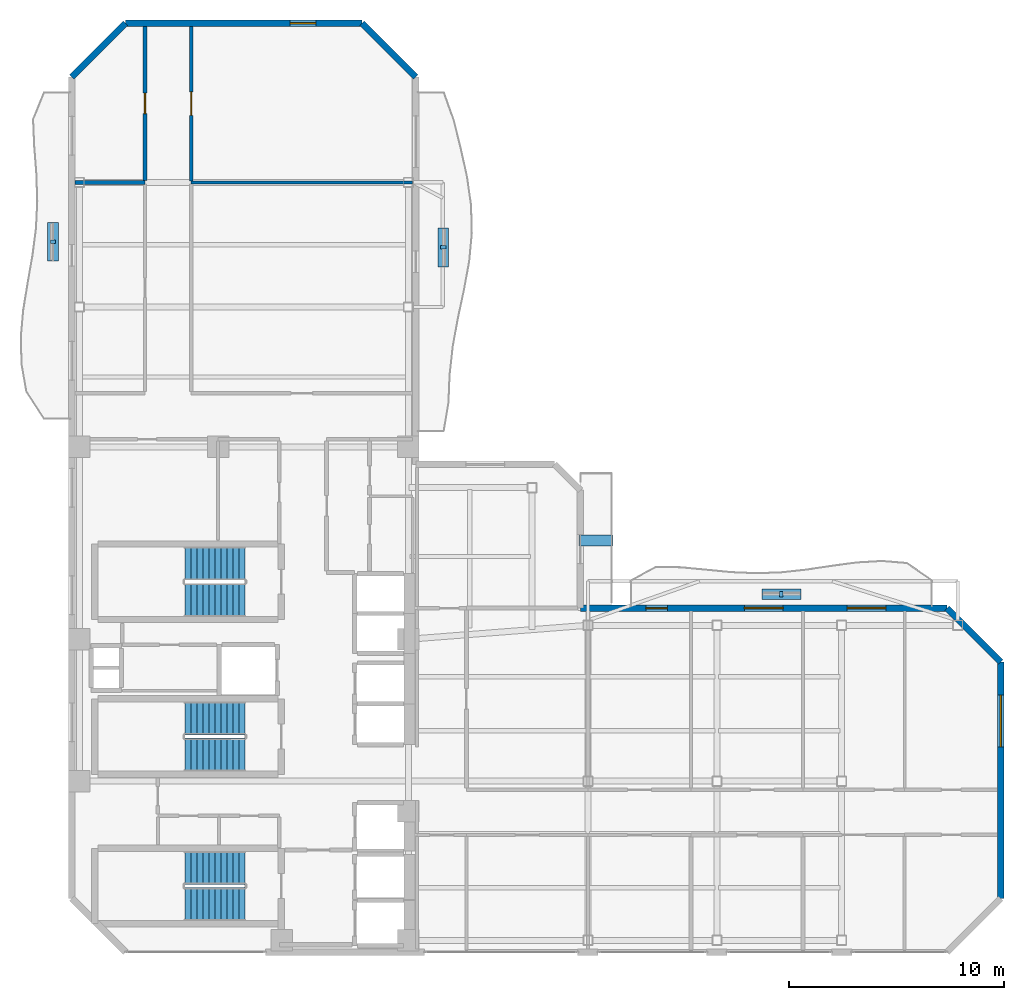
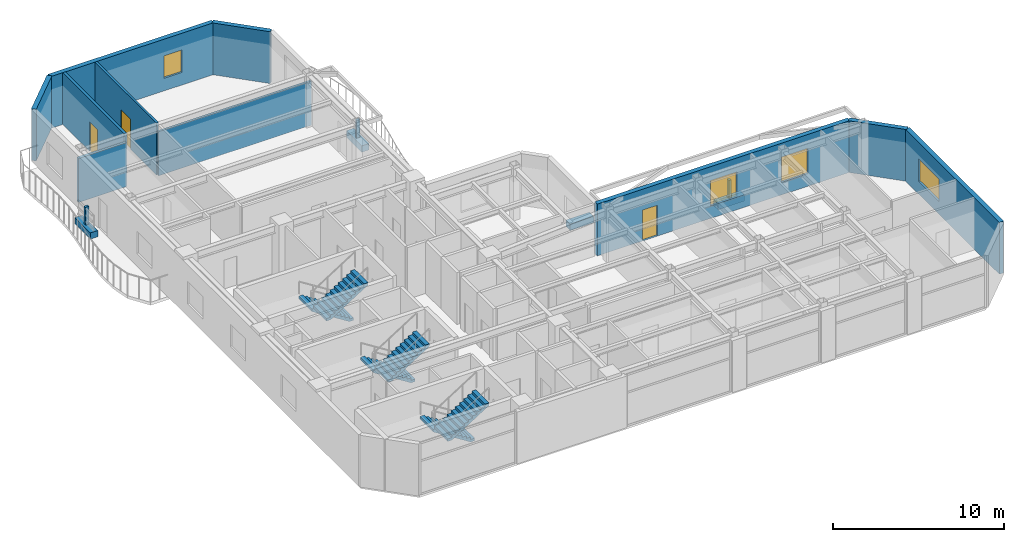
# One storey, part 12 of 15: 10 walls, 7 discrete accessories, 6 stair flights, 4 windows, 3 doors, 7 openings, 3 elements without a shape of their own.
"""IFC4 building model written with IfcOpenShell, lengths in metres."""

import ifcopenshell
import ifcopenshell.guid

model = None  # the IFC model being written
_history = None  # IfcOwnerHistory: only IFC2X3 demands one
_inside = {}  # id of a spatial element -> (the spatial element, [elements in it])
_under = {}  # id of a project, library or spatial element -> (it, [spatial elements below it])
_declared = {}  # id of a project -> (the project, [libraries it declares])
_typed = {}  # id of a type object -> (the type object, [elements of that type])
_made_of = {}  # id of a material, layer set ... -> (it, [elements and type objects made of it])


def new_model(schema):
    """Start an empty IFC model of exactly this schema.

    Asked for "IFC4X3", IfcOpenShell would pick the latest addendum, in which some entities
    have other attributes; the version numbers below select the first issue.
    IFC2X3 requires an IfcOwnerHistory on every rooted entity: one is made here for all.
    """
    global model, _history
    if schema == "IFC4X3":
        model = ifcopenshell.file(schema_version=(4, 3, 0, 0))
    else:
        model = ifcopenshell.file(schema=schema)
    _inside.clear()
    _under.clear()
    _declared.clear()
    _typed.clear()
    _made_of.clear()
    _history = None
    if model.schema == "IFC2X3":
        org = make("IfcOrganization", Name="unknown")
        user = make(
            "IfcPersonAndOrganization",
            ThePerson=make("IfcPerson", FamilyName="unknown"),
            TheOrganization=org,
        )
        app = make(
            "IfcApplication",
            ApplicationDeveloper=org,
            Version="unknown",
            ApplicationFullName="unknown",
            ApplicationIdentifier="unknown",
        )
        _history = make(
            "IfcOwnerHistory",
            OwningUser=user,
            OwningApplication=app,
            ChangeAction="ADDED",
            CreationDate=0,
        )
    return model


def make(cls, **values):
    """One entity of the class cls with the attributes given. An attribute that is None is left unset."""
    return model.create_entity(
        cls, **{name: value for name, value in values.items() if value is not None}
    )


def rooted(cls, **values):
    """An entity with a GlobalId (a new one), such as an element, a storey or a relation."""
    return make(cls, GlobalId=ifcopenshell.guid.new(), OwnerHistory=_history, **values)


def si_unit(unit_type, name, prefix=None):
    """IfcSIUnit, for example si_unit("LENGTHUNIT", "METRE", prefix="MILLI")."""
    return make("IfcSIUnit", UnitType=unit_type, Prefix=prefix, Name=name)


def assignment(units):
    """IfcUnitAssignment: the units of a project."""
    return None if units is None else make("IfcUnitAssignment", Units=units)


def point(xyz):
    """IfcCartesianPoint."""
    return None if xyz is None else make("IfcCartesianPoint", Coordinates=xyz)


def direction(xyz):
    """IfcDirection."""
    return None if xyz is None else make("IfcDirection", DirectionRatios=xyz)


def frame(location, z_axis=None, x_axis=None):
    """IfcAxis2Placement3D, a coordinate frame: its origin and axes. An axis left out is left unset."""
    return make(
        "IfcAxis2Placement3D",
        Location=point(location),
        Axis=direction(z_axis),
        RefDirection=direction(x_axis),
    )


def frame_2d(location, x_axis=None):
    """IfcAxis2Placement2D, a coordinate frame in the plane: its origin and x axis."""
    return make(
        "IfcAxis2Placement2D", Location=point(location), RefDirection=direction(x_axis)
    )


def origin():
    """The frame at (0, 0, 0) with its axes left unset."""
    return frame((0.0, 0.0, 0.0))


def origin_2d():
    """The frame at (0, 0) in the plane with its x axis left unset."""
    return frame_2d((0.0, 0.0))


def place(relative_to, where):
    """IfcLocalPlacement: puts the frame where relative to a parent placement (None: the world)."""
    return make(
        "IfcLocalPlacement", PlacementRelTo=relative_to, RelativePlacement=where
    )


def context(
    kind, dimensions, precision=None, world=None, true_north=None, identifier=None
):
    """IfcGeometricRepresentationContext, for example the 3D "Model" context."""
    return make(
        "IfcGeometricRepresentationContext",
        ContextIdentifier=identifier,
        ContextType=kind,
        CoordinateSpaceDimension=dimensions,
        Precision=precision,
        WorldCoordinateSystem=world,
        TrueNorth=true_north,
    )


def subcontext(parent, identifier, kind, view, scale=None):
    """IfcGeometricRepresentationSubContext, for example "Body" below "Model"."""
    return make(
        "IfcGeometricRepresentationSubContext",
        ContextIdentifier=identifier,
        ContextType=kind,
        ParentContext=parent,
        TargetScale=scale,
        TargetView=view,
    )


def project(units=None, contexts=None):
    """IfcProject with its units and contexts."""
    return rooted(
        "IfcProject",
        Name="project",
        RepresentationContexts=contexts,
        UnitsInContext=assignment(units),
    )


def spatial(cls, under=None, at=None, **own):
    """A site, building, storey or space (cls), placed at a placement, below another one or the project."""
    s = rooted(cls, ObjectPlacement=at, **own)
    if under is not None:
        _under.setdefault(under.id(), (under, []))[1].append(s)
    return s


def polyline(points):
    """IfcPolyline through the points."""
    return make("IfcPolyline", Points=[point(p) for p in points])


def profile(cls, at=None, kind="AREA", **sizes):
    """A parametric profile (cls). Its sizes go by their IFC names, for example OverallWidth=200.0."""
    return make(cls, ProfileType=kind, Position=at, **sizes)


def rectangle(**sizes):
    """IfcRectangleProfileDef."""
    return profile("IfcRectangleProfileDef", **sizes)


def outline(outer, holes=None, kind="AREA"):
    """IfcArbitraryClosedProfileDef: a profile drawn as a closed curve; with holes, ...WithVoids."""
    if holes is None:
        return make("IfcArbitraryClosedProfileDef", ProfileType=kind, OuterCurve=outer)
    return make(
        "IfcArbitraryProfileDefWithVoids",
        ProfileType=kind,
        OuterCurve=outer,
        InnerCurves=holes,
    )


def extrude(swept, where, along, depth):
    """IfcExtrudedAreaSolid: the profile swept, set in the frame where, extruded along a direction by depth."""
    return make(
        "IfcExtrudedAreaSolid",
        SweptArea=swept,
        Position=where,
        ExtrudedDirection=direction(along),
        Depth=depth,
    )


def shape(context_of_items, identifier, shape_type, items):
    """IfcShapeRepresentation: the items that make up one representation, for example the "Body"."""
    return make(
        "IfcShapeRepresentation",
        ContextOfItems=context_of_items,
        RepresentationIdentifier=identifier,
        RepresentationType=shape_type,
        Items=items,
    )


def material(Name=None, Category=None):
    """IfcMaterial."""
    return make("IfcMaterial", Name=Name, Category=Category)


def layer(
    of_material, thickness, ventilated=None, Name=None, Category=None, Priority=None
):
    """IfcMaterialLayer: one layer of a wall or slab, of a material (None: an air gap)."""
    return make(
        "IfcMaterialLayer",
        Material=of_material,
        LayerThickness=thickness,
        IsVentilated=ventilated,
        Name=Name,
        Category=Category,
        Priority=Priority,
    )


def layer_set(layers, Name=None):
    """IfcMaterialLayerSet."""
    return make("IfcMaterialLayerSet", MaterialLayers=layers, LayerSetName=Name)


def made_of(thing, what):
    """Note that an element or type object is made of a material, layer set ...; save() writes the relation."""
    if what is not None:
        _made_of.setdefault(what.id(), (what, []))[1].append(thing)
    return thing


def type_object(cls, material=None, **own):
    """A type object (cls), such as IfcWallType, which elements share."""
    return made_of(rooted(cls, **own), material)


def element(
    cls,
    number,
    at=None,
    inside=None,
    cuts=None,
    type_object=None,
    material=None,
    context=None,
    identifier="Body",
    shape_type=None,
    held_by="IfcProductDefinitionShape",
    body=None,
    shapes=None,
    **own,
):
    """One element of the class cls, such as IfcWall. Its Tag is "e" and its number.

    at: its placement. inside: the storey or other place that contains it. cuts: it is an
    opening in that element (IfcRelVoidsElement). A single representation is given by context,
    identifier, shape_type and body (its items); several are given by shapes. held_by: the class
    of the entity that holds the representations. save() writes the other relations.
    """
    e = rooted(cls, Tag="e%d" % number, ObjectPlacement=at, **own)
    if body is not None:
        shapes = [shape(context, identifier, shape_type, body)]
    if shapes is not None:
        e.Representation = make(held_by, Representations=shapes)
    if inside is not None:
        _inside.setdefault(inside.id(), (inside, []))[1].append(e)
    if cuts is not None:
        rooted(
            "IfcRelVoidsElement", RelatingBuildingElement=cuts, RelatedOpeningElement=e
        )
    if type_object is not None:
        _typed.setdefault(type_object.id(), (type_object, []))[1].append(e)
    return made_of(e, material)


def fill(opening, filler):
    """IfcRelFillsElement: the door or window that sits in an opening."""
    return rooted(
        "IfcRelFillsElement",
        RelatingOpeningElement=opening,
        RelatedBuildingElement=filler,
    )


def aggregate(whole, parts):
    """IfcRelAggregates: a whole, such as a stair, and the parts it consists of."""
    return rooted("IfcRelAggregates", RelatingObject=whole, RelatedObjects=parts)


def save(model, path):
    """Write the relations noted so far, then the file.

    IfcRelAggregates (storeys below a building ...), IfcRelContainedInSpatialStructure (elements
    in a storey), IfcRelDefinesByType, IfcRelAssociatesMaterial and IfcRelDeclares: one each for
    every whole, place, type object, material and project.
    """
    for whole, parts in _under.values():
        aggregate(whole, parts)
    for where, things in _inside.values():
        rooted(
            "IfcRelContainedInSpatialStructure",
            RelatedElements=things,
            RelatingStructure=where,
        )
    for kind, things in _typed.values():
        rooted("IfcRelDefinesByType", RelatedObjects=things, RelatingType=kind)
    for what, things in _made_of.values():
        rooted("IfcRelAssociatesMaterial", RelatedObjects=things, RelatingMaterial=what)
    for by, libraries in _declared.values():
        rooted("IfcRelDeclares", RelatingContext=by, RelatedDefinitions=libraries)
    model.write(path)


model = new_model("IFC4")

# Units and contexts
model_context = context("Model", 3, precision=1e-05, world=origin(), true_north=direction((0.0, 1.0)))
body_context = subcontext(model_context, "Body", "Model", "MODEL_VIEW")
ifc_project = project(units=[si_unit("LENGTHUNIT", "METRE"), si_unit("AREAUNIT", "SQUARE_METRE"), si_unit("VOLUMEUNIT", "CUBIC_METRE"), si_unit("PLANEANGLEUNIT", "RADIAN"), si_unit("MASSUNIT", "GRAM", prefix="KILO")], contexts=[model_context])

# Site, building, storey
site_placement = place(None, origin())
site = spatial("IfcSite", under=ifc_project, at=site_placement, CompositionType="ELEMENT")
building_placement = place(site_placement, origin())
building = spatial("IfcBuilding", under=site, at=building_placement, Name="Mawjaban Terraces University", CompositionType="ELEMENT")
storey_placement = place(building_placement, frame((0.0, 0.0, 207.0)))
storey = spatial("IfcBuildingStorey", under=building, at=storey_placement, Name="L50", CompositionType="ELEMENT", Elevation=207.0)

# Wall
ifc_material_1 = material(Name="Acoustic masonry blockwork", Category="masonry")
ifc_layer_1 = layer(ifc_material_1, 0.179931640625)
ifc_layer_set_1 = layer_set([ifc_layer_1], Name="Acoustic masonry blockwork")
wall_type_1 = type_object("IfcWallType", Name="AcousticStudioWall_180", PredefinedType="PARTITIONING", material=ifc_layer_set_1)
wall_1_placement = place(storey_placement, frame((25.39990234375, 35.800048828125, 0.0), z_axis=(0.0, 0.0, 1.0), x_axis=(-1.0, 0.0, 0.0)))
element("IfcWall", 1, at=wall_1_placement, inside=storey, type_object=wall_type_1, Name="L50 Departmental Office 12 Partition 4", PredefinedType="PARTITIONING", context=body_context, shape_type="SweptSolid", body=[
    extrude(rectangle(XDim=3.2548828125, YDim=0.179931640625, at=frame_2d((1.62744140625, 0.0))), origin(), (0.0, 0.0, 1.0), 3.138916015625),
])

# Wall, opening, door
wall_2_placement = place(storey_placement, frame((25.39990234375, 43.054931640625, 0.0), z_axis=(0.0, 0.0, 1.0), x_axis=(0.0, -1.0, 0.0)))
wall_2 = element("IfcWall", 2, at=wall_2_placement, inside=storey, type_object=wall_type_1, Name="L50 West Shifted Academic Corridor Partition 32", PredefinedType="PARTITIONING", context=body_context, shape_type="SweptSolid", body=[
    extrude(rectangle(XDim=7.169921875, YDim=0.179931640625, at=frame_2d((3.5849609375, 0.0))), origin(), (0.0, 0.0, 1.0), 3.68994140625),
])
opening_1_placement = place(wall_2_placement, frame((3.110107421875, 0.0, 0.0)))
opening_1 = element("IfcOpeningElement", 3, at=opening_1_placement, cuts=wall_2, Name="Opening ID-095", PredefinedType="OPENING", context=body_context, shape_type="SweptSolid", body=[
    extrude(rectangle(XDim=0.949951171875, YDim=2.10009765625, at=frame_2d((0.47509765625, 1.050048828125))), frame((0.0, 0.099853515625, 0.0), z_axis=(0.0, -1.0, 0.0), x_axis=(1.0, 0.0, 0.0)), (0.0, 0.0, 1.0), 0.199951171875),
])
ifc_material_2 = material(Name="Powder-coated steel frame and solid acoustic timber leaf", Category="steel")
door_type_1 = type_object("IfcDoorType", Name="StudioDoor_950x2100", OperationType="NOTDEFINED", PredefinedType="DOOR", material=ifc_material_2)
door_1_placement = place(opening_1_placement, origin())
door_1 = element("IfcDoor", 4, at=door_1_placement, inside=storey, type_object=door_type_1, Name="L50 Design Studio 14 Door", OperationType="SINGLE_SWING_LEFT", OverallHeight=2.10009765625, OverallWidth=0.949951171875, PredefinedType="DOOR", context=body_context, shape_type="SweptSolid", body=[
    extrude(rectangle(XDim=0.949951171875, YDim=2.10009765625, at=frame_2d((0.47509765625, 1.050048828125))), frame((0.0, 0.02490234375, 0.0), z_axis=(0.0, -1.0, 0.0), x_axis=(1.0, 0.0, 0.0)), (0.0, 0.0, 1.0), 0.050048828125),
])
fill(opening_1, door_1)

# Wall, opening, window
ifc_material_3 = material(Name="Insulated terracotta rainscreen on concrete backup C40/50", Category="masonry")
ifc_layer_2 = layer(ifc_material_3, 0.300048828125)
ifc_layer_set_2 = layer_set([ifc_layer_2], Name="Insulated terracotta rainscreen on concrete backup C40/50")
wall_type_2 = type_object("IfcWallType", Name="ExtTerracottaWall_300", PredefinedType="SOLIDWALL", material=ifc_layer_set_2)
wall_3_placement = place(storey_placement, frame((65.199951171875, 2.5, 0.0), z_axis=(0.0, 0.0, 1.0), x_axis=(0.0, 1.0, 0.0)))
wall_3 = element("IfcWall", 5, at=wall_3_placement, inside=storey, type_object=wall_type_2, Name="L50 Exterior Terracotta Wall 3", PredefinedType="SOLIDWALL", context=body_context, shape_type="SweptSolid", body=[
    extrude(rectangle(XDim=11.0, YDim=0.300048828125, at=frame_2d((5.5, 0.0))), origin(), (0.0, 0.0, 1.0), 3.68994140625),
])
opening_2_placement = place(wall_3_placement, frame((7.050048828125, 0.0, 0.89990234375)))
opening_2 = element("IfcOpeningElement", 6, at=opening_2_placement, cuts=wall_3, Name="Opening W-05", PredefinedType="OPENING", context=body_context, shape_type="SweptSolid", body=[
    extrude(rectangle(XDim=2.39990234375, YDim=1.60009765625, at=frame_2d((1.199951171875, 0.800048828125))), frame((0.0, 0.159912109375, 0.0), z_axis=(0.0, -1.0, 0.0), x_axis=(1.0, 0.0, 0.0)), (0.0, 0.0, 1.0), 0.320068359375),
])
ifc_material_4 = material(Name="Low-E solar-control double glazing in thermally broken aluminium frame", Category="aluminium")
window_type_1 = type_object("IfcWindowType", Name="Win_2400x1600", PartitioningType="SINGLE_PANEL", PredefinedType="WINDOW", material=ifc_material_4)
window_1_placement = place(opening_2_placement, origin())
window_1 = element("IfcWindow", 7, at=window_1_placement, inside=storey, type_object=window_type_1, Name="L50 Facade Window 3.2", OverallHeight=1.60009765625, OverallWidth=2.39990234375, PartitioningType="SINGLE_PANEL", PredefinedType="WINDOW", context=body_context, shape_type="SweptSolid", body=[
    extrude(rectangle(XDim=2.39990234375, YDim=1.60009765625, at=frame_2d((1.199951171875, 0.800048828125))), frame((0.0, 0.030029296875, 0.0), z_axis=(0.0, -1.0, 0.0), x_axis=(1.0, 0.0, 0.0)), (0.0, 0.0, 1.0), 0.06005859375),
])
fill(opening_2, window_1)

# Wall
wall_4_placement = place(storey_placement, frame((65.199951171875, 13.5, 0.0), z_axis=(0.0, 0.0, 1.0), x_axis=(-0.707106781187, 0.707106781187, 0.0)))
element("IfcWall", 8, at=wall_4_placement, inside=storey, type_object=wall_type_2, Name="L50 Exterior Terracotta Wall 4", PredefinedType="SOLIDWALL", context=body_context, shape_type="SweptSolid", body=[
    extrude(rectangle(XDim=3.53564453125, YDim=0.300048828125, at=frame_2d((1.767822265625, 0.0))), origin(), (0.0, 0.0, 1.0), 3.68994140625),
])

# Wall, openings, door, windows
wall_5_placement = place(storey_placement, frame((62.699951171875, 16.0, 0.0), z_axis=(0.0, 0.0, 1.0), x_axis=(-1.0, 0.0, 0.0)))
wall_5 = element("IfcWall", 9, at=wall_5_placement, inside=storey, type_object=wall_type_2, Name="L50 Exterior Terracotta Wall 5", PredefinedType="SOLIDWALL", context=body_context, shape_type="SweptSolid", body=[
    extrude(rectangle(XDim=17.050048828125, YDim=0.300048828125, at=frame_2d((8.52490234375, 0.0))), origin(), (0.0, 0.0, 1.0), 3.68994140625),
])
opening_3_placement = place(wall_5_placement, frame((13.0, 0.0, 0.0)))
opening_3 = element("IfcOpeningElement", 10, at=opening_3_placement, cuts=wall_5, Name="Opening BD-100", PredefinedType="OPENING", context=body_context, shape_type="SweptSolid", body=[
    extrude(rectangle(XDim=1.0, YDim=2.199951171875, at=frame_2d((0.5, 1.10009765625))), frame((0.0, 0.159912109375, 0.0), z_axis=(0.0, -1.0, 0.0), x_axis=(1.0, 0.0, 0.0)), (0.0, 0.0, 1.0), 0.320068359375),
])
opening_4_placement = place(wall_5_placement, frame((2.842041015625, 0.0, 0.89990234375)))
opening_4 = element("IfcOpeningElement", 11, at=opening_4_placement, cuts=wall_5, Name="Opening W-07", PredefinedType="OPENING", context=body_context, shape_type="SweptSolid", body=[
    extrude(rectangle(XDim=1.800048828125, YDim=1.800048828125, at=frame_2d((0.89990234375, 0.89990234375))), frame((0.0, 0.159912109375, 0.0), z_axis=(0.0, -1.0, 0.0), x_axis=(1.0, 0.0, 0.0)), (0.0, 0.0, 1.0), 0.320068359375),
])
opening_5_placement = place(wall_5_placement, frame((7.625, 0.0, 0.89990234375)))
opening_5 = element("IfcOpeningElement", 12, at=opening_5_placement, cuts=wall_5, Name="Opening W-07", PredefinedType="OPENING", context=body_context, shape_type="SweptSolid", body=[
    extrude(rectangle(XDim=1.800048828125, YDim=1.800048828125, at=frame_2d((0.89990234375, 0.89990234375))), frame((0.0, 0.159912109375, 0.0), z_axis=(0.0, -1.0, 0.0), x_axis=(1.0, 0.0, 0.0)), (0.0, 0.0, 1.0), 0.320068359375),
])
ifc_material_5 = material(Name="Thermally broken anodised aluminium and laminated safety glass", Category="aluminium")
door_type_2 = type_object("IfcDoorType", Name="BalconyGlazedDoor_1000x2200", OperationType="NOTDEFINED", PredefinedType="DOOR", material=ifc_material_5)
door_2_placement = place(opening_3_placement, origin())
door_2 = element("IfcDoor", 13, at=door_2_placement, inside=storey, type_object=door_type_2, Name="L50 Balcony Access Door inner_north", OperationType="SINGLE_SWING_LEFT", OverallHeight=2.199951171875, OverallWidth=1.0, PredefinedType="DOOR", context=body_context, shape_type="SweptSolid", body=[
    extrude(rectangle(XDim=1.0, YDim=2.199951171875, at=frame_2d((0.5, 1.10009765625))), frame((0.0, 0.02490234375, 0.0), z_axis=(0.0, -1.0, 0.0), x_axis=(1.0, 0.0, 0.0)), (0.0, 0.0, 1.0), 0.050048828125),
])
fill(opening_3, door_2)
window_type_2 = type_object("IfcWindowType", Name="Win_1800x1800", PartitioningType="SINGLE_PANEL", PredefinedType="WINDOW", material=ifc_material_4)
window_2_placement = place(opening_4_placement, origin())
window_2 = element("IfcWindow", 14, at=window_2_placement, inside=storey, type_object=window_type_2, Name="L50 Facade Window 5.1", OverallHeight=1.800048828125, OverallWidth=1.800048828125, PartitioningType="SINGLE_PANEL", PredefinedType="WINDOW", context=body_context, shape_type="SweptSolid", body=[
    extrude(rectangle(XDim=1.800048828125, YDim=1.800048828125, at=frame_2d((0.89990234375, 0.89990234375))), frame((0.0, 0.030029296875, 0.0), z_axis=(0.0, -1.0, 0.0), x_axis=(1.0, 0.0, 0.0)), (0.0, 0.0, 1.0), 0.06005859375),
])
fill(opening_4, window_2)
window_3_placement = place(opening_5_placement, origin())
window_3 = element("IfcWindow", 15, at=window_3_placement, inside=storey, type_object=window_type_2, Name="L50 Facade Window 5.2", OverallHeight=1.800048828125, OverallWidth=1.800048828125, PartitioningType="SINGLE_PANEL", PredefinedType="WINDOW", context=body_context, shape_type="SweptSolid", body=[
    extrude(rectangle(XDim=1.800048828125, YDim=1.800048828125, at=frame_2d((0.89990234375, 0.89990234375))), frame((0.0, 0.030029296875, 0.0), z_axis=(0.0, -1.0, 0.0), x_axis=(1.0, 0.0, 0.0)), (0.0, 0.0, 1.0), 0.06005859375),
])
fill(opening_5, window_3)

# Wall
wall_6_placement = place(storey_placement, frame((38.0, 40.699951171875, 0.0), z_axis=(0.0, 0.0, 1.0), x_axis=(-0.707106781187, 0.707106781187, 0.0)))
element("IfcWall", 16, at=wall_6_placement, inside=storey, type_object=wall_type_2, Name="L50 Exterior Terracotta Wall 10", PredefinedType="SOLIDWALL", context=body_context, shape_type="SweptSolid", body=[
    extrude(rectangle(XDim=3.53564453125, YDim=0.300048828125, at=frame_2d((1.767822265625, 0.0))), origin(), (0.0, 0.0, 1.0), 3.68994140625),
])

# Wall, opening, window
wall_7_placement = place(storey_placement, frame((35.5, 43.199951171875, 0.0), z_axis=(0.0, 0.0, 1.0), x_axis=(-1.0, 0.0, 0.0)))
wall_7 = element("IfcWall", 17, at=wall_7_placement, inside=storey, type_object=wall_type_2, Name="L50 Exterior Terracotta Wall 11", PredefinedType="SOLIDWALL", context=body_context, shape_type="SweptSolid", body=[
    extrude(rectangle(XDim=11.0, YDim=0.300048828125, at=frame_2d((5.5, 0.0))), origin(), (0.0, 0.0, 1.0), 3.68994140625),
])
opening_6_placement = place(wall_7_placement, frame((2.14990234375, 0.0, 0.89990234375)))
opening_6 = element("IfcOpeningElement", 18, at=opening_6_placement, cuts=wall_7, Name="Opening W-01", PredefinedType="OPENING", context=body_context, shape_type="SweptSolid", body=[
    extrude(rectangle(XDim=1.199951171875, YDim=1.60009765625, at=frame_2d((0.60009765625, 0.800048828125))), frame((0.0, 0.159912109375, 0.0), z_axis=(0.0, -1.0, 0.0), x_axis=(1.0, 0.0, 0.0)), (0.0, 0.0, 1.0), 0.320068359375),
])
window_type_3 = type_object("IfcWindowType", Name="Win_1200x1600", PartitioningType="SINGLE_PANEL", PredefinedType="WINDOW", material=ifc_material_4)
window_4_placement = place(opening_6_placement, origin())
window_4 = element("IfcWindow", 19, at=window_4_placement, inside=storey, type_object=window_type_3, Name="L50 Facade Window 11.1", OverallHeight=1.60009765625, OverallWidth=1.199951171875, PartitioningType="SINGLE_PANEL", PredefinedType="WINDOW", context=body_context, shape_type="SweptSolid", body=[
    extrude(rectangle(XDim=1.199951171875, YDim=1.60009765625, at=frame_2d((0.60009765625, 0.800048828125))), frame((0.0, 0.030029296875, 0.0), z_axis=(0.0, -1.0, 0.0), x_axis=(1.0, 0.0, 0.0)), (0.0, 0.0, 1.0), 0.06005859375),
])
fill(opening_6, window_4)

# Walls
wall_8_placement = place(storey_placement, frame((24.5, 43.199951171875, 0.0), z_axis=(0.0, 0.0, 1.0), x_axis=(-0.707106781187, -0.707106781187, 0.0)))
element("IfcWall", 20, at=wall_8_placement, inside=storey, type_object=wall_type_2, Name="L50 Exterior Terracotta Wall 12", PredefinedType="SOLIDWALL", context=body_context, shape_type="SweptSolid", body=[
    extrude(rectangle(XDim=3.53564453125, YDim=0.300048828125, at=frame_2d((1.767822265625, 0.0))), origin(), (0.0, 0.0, 1.0), 3.68994140625),
])
ifc_material_6 = material(Name="Moisture-resistant gypsum board on steel stud", Category="steel")
ifc_layer_3 = layer(ifc_material_6, 0.14501953125)
ifc_layer_set_3 = layer_set([ifc_layer_3], Name="Moisture-resistant gypsum board on steel stud")
wall_type_3 = type_object("IfcWallType", Name="LabPartition_145", PredefinedType="PARTITIONING", material=ifc_layer_set_3)
wall_9_placement = place(storey_placement, frame((37.85009765625, 35.800048828125, 0.0), z_axis=(0.0, 0.0, 1.0), x_axis=(-1.0, 0.0, 0.0)))
element("IfcWall", 21, at=wall_9_placement, inside=storey, type_object=wall_type_3, Name="L50 Classroom 13 Partition 16", PredefinedType="PARTITIONING", context=body_context, shape_type="SweptSolid", body=[
    extrude(rectangle(XDim=10.300048828125, YDim=0.14501953125, at=frame_2d((5.14990234375, 0.0))), origin(), (0.0, 0.0, 1.0), 3.138916015625),
])

# Wall, opening, door
wall_10_placement = place(storey_placement, frame((27.550048828125, 35.866943359375, 0.0), z_axis=(0.0, 0.0, 1.0), x_axis=(0.0, 1.0, 0.0)))
wall_10 = element("IfcWall", 22, at=wall_10_placement, inside=storey, type_object=wall_type_3, Name="L50 West Shifted Academic Corridor Partition 36", PredefinedType="PARTITIONING", context=body_context, shape_type="SweptSolid", body=[
    extrude(rectangle(XDim=7.18798828125, YDim=0.14501953125, at=frame_2d((3.593994140625, 0.0))), origin(), (0.0, 0.0, 1.0), 3.68994140625),
])
opening_7_placement = place(wall_10_placement, frame((3.0439453125, 0.0, 0.0)))
opening_7 = element("IfcOpeningElement", 23, at=opening_7_placement, cuts=wall_10, Name="Opening ID-110", PredefinedType="OPENING", context=body_context, shape_type="SweptSolid", body=[
    extrude(rectangle(XDim=1.10009765625, YDim=2.14990234375, at=frame_2d((0.550048828125, 1.074951171875))), frame((0.0, 0.08251953125, 0.0), z_axis=(0.0, -1.0, 0.0), x_axis=(1.0, 0.0, 0.0)), (0.0, 0.0, 1.0), 0.1650390625),
])
door_type_3 = type_object("IfcDoorType", Name="LabDoor_1100x2150", OperationType="NOTDEFINED", PredefinedType="DOOR", material=ifc_material_2)
door_3_placement = place(opening_7_placement, origin())
door_3 = element("IfcDoor", 24, at=door_3_placement, inside=storey, type_object=door_type_3, Name="L50 Computational Laboratory 15 Door", OperationType="SINGLE_SWING_RIGHT", OverallHeight=2.14990234375, OverallWidth=1.10009765625, PredefinedType="DOOR", context=body_context, shape_type="SweptSolid", body=[
    extrude(rectangle(XDim=1.10009765625, YDim=2.14990234375, at=frame_2d((0.550048828125, 1.074951171875))), frame((0.0, 0.02490234375, 0.0), z_axis=(0.0, -1.0, 0.0), x_axis=(1.0, 0.0, 0.0)), (0.0, 0.0, 1.0), 0.050048828125),
])
fill(opening_7, door_3)

# Stair, stair flights
ifc_material_7 = material(Name="Concrete C40/50", Category="concrete")
stair_type = type_object("IfcStairType", Name="Stair_Core1550_H39", PredefinedType="HALF_TURN_STAIR", material=ifc_material_7)
stair_1_placement = place(storey_placement, origin())
stair_1 = element("IfcStair", 25, at=stair_1_placement, inside=storey, type_object=stair_type, Name="L50 Core Exit Stair 1", PredefinedType="HALF_TURN_STAIR")
stair_flight_type = type_object("IfcStairFlightType", Name="Flight_Core1550_H39", PredefinedType="STRAIGHT", material=ifc_material_7)
stair_flight_1_placement = place(storey_placement, frame((30.050048828125, 3.925048828125, 0.0), z_axis=(0.0, 0.0, 1.0), x_axis=(-1.0, 0.0, 0.0)))
stair_flight_1 = element("IfcStairFlight", 26, at=stair_flight_1_placement, type_object=stair_flight_type, Name="ST-1 flight 1", NumberOfRisers=11, NumberOfTreads=10, PredefinedType="STRAIGHT", RiserHeight=0.177272727, TreadLength=0.28, context=body_context, shape_type="SweptSolid", body=[
    extrude(outline(polyline([(0.0, 0.0), (0.0, 0.17724609375), (0.280029296875, 0.17724609375), (0.280029296875, 0.3544921875), (0.56005859375, 0.3544921875), (0.56005859375, 0.53173828125), (0.840087890625, 0.53173828125), (0.840087890625, 0.708984375), (1.1201171875, 0.708984375), (1.1201171875, 0.886474609375), (1.39990234375, 0.886474609375), (1.39990234375, 1.063720703125), (1.679931640625, 1.063720703125), (1.679931640625, 1.240966796875), (1.9599609375, 1.240966796875), (1.9599609375, 1.418212890625), (2.239990234375, 1.418212890625), (2.239990234375, 1.595458984375), (2.52001953125, 1.595458984375), (2.52001953125, 1.772705078125), (2.800048828125, 1.772705078125), (2.800048828125, 1.949951171875), (2.800048828125, 1.59521484375), (0.2802734375, 0.0), (0.0, 0.0)])), frame((0.0, 0.77490234375, 0.0), z_axis=(0.0, -1.0, 0.0), x_axis=(1.0, 0.0, 0.0)), (0.0, 0.0, 1.0), 1.550048828125),
])
stair_flight_2_placement = place(storey_placement, frame((27.25, 2.22509765625, 1.949951171875), z_axis=(0.0, 0.0, 1.0), x_axis=(1.0, 0.0, 0.0)))
stair_flight_2 = element("IfcStairFlight", 27, at=stair_flight_2_placement, type_object=stair_flight_type, Name="ST-1 flight 2", NumberOfRisers=11, NumberOfTreads=10, PredefinedType="STRAIGHT", RiserHeight=0.177272727, TreadLength=0.28, context=body_context, shape_type="SweptSolid", body=[
    extrude(outline(polyline([(0.0, 0.0), (0.0, 0.17724609375), (0.280029296875, 0.17724609375), (0.280029296875, 0.3544921875), (0.56005859375, 0.3544921875), (0.56005859375, 0.53173828125), (0.840087890625, 0.53173828125), (0.840087890625, 0.708984375), (1.1201171875, 0.708984375), (1.1201171875, 0.886474609375), (1.39990234375, 0.886474609375), (1.39990234375, 1.063720703125), (1.679931640625, 1.063720703125), (1.679931640625, 1.240966796875), (1.9599609375, 1.240966796875), (1.9599609375, 1.418212890625), (2.239990234375, 1.418212890625), (2.239990234375, 1.595458984375), (2.52001953125, 1.595458984375), (2.52001953125, 1.772705078125), (2.800048828125, 1.772705078125), (2.800048828125, 1.949951171875), (2.800048828125, 1.59521484375), (0.2802734375, 0.0), (0.0, 0.0)])), frame((0.0, 0.77490234375, 0.0), z_axis=(0.0, -1.0, 0.0), x_axis=(1.0, 0.0, 0.0)), (0.0, 0.0, 1.0), 1.550048828125),
])
aggregate(stair_1, [stair_flight_1, stair_flight_2])

stair_2_placement = place(storey_placement, origin())
stair_2 = element("IfcStair", 28, at=stair_2_placement, inside=storey, type_object=stair_type, Name="L50 Core Exit Stair 2", PredefinedType="HALF_TURN_STAIR")
stair_flight_3_placement = place(storey_placement, frame((30.050048828125, 18.074951171875, 0.0), z_axis=(0.0, 0.0, 1.0), x_axis=(-1.0, 0.0, 0.0)))
stair_flight_3 = element("IfcStairFlight", 29, at=stair_flight_3_placement, type_object=stair_flight_type, Name="ST-2 flight 1", NumberOfRisers=11, NumberOfTreads=10, PredefinedType="STRAIGHT", RiserHeight=0.177272727, TreadLength=0.28, context=body_context, shape_type="SweptSolid", body=[
    extrude(outline(polyline([(0.0, 0.0), (0.0, 0.17724609375), (0.280029296875, 0.17724609375), (0.280029296875, 0.3544921875), (0.56005859375, 0.3544921875), (0.56005859375, 0.53173828125), (0.840087890625, 0.53173828125), (0.840087890625, 0.708984375), (1.1201171875, 0.708984375), (1.1201171875, 0.886474609375), (1.39990234375, 0.886474609375), (1.39990234375, 1.063720703125), (1.679931640625, 1.063720703125), (1.679931640625, 1.240966796875), (1.9599609375, 1.240966796875), (1.9599609375, 1.418212890625), (2.239990234375, 1.418212890625), (2.239990234375, 1.595458984375), (2.52001953125, 1.595458984375), (2.52001953125, 1.772705078125), (2.800048828125, 1.772705078125), (2.800048828125, 1.949951171875), (2.800048828125, 1.59521484375), (0.2802734375, 0.0), (0.0, 0.0)])), frame((0.0, 0.77490234375, 0.0), z_axis=(0.0, -1.0, 0.0), x_axis=(1.0, 0.0, 0.0)), (0.0, 0.0, 1.0), 1.550048828125),
])
stair_flight_4_placement = place(storey_placement, frame((27.25, 16.375, 1.949951171875), z_axis=(0.0, 0.0, 1.0), x_axis=(1.0, 0.0, 0.0)))
stair_flight_4 = element("IfcStairFlight", 30, at=stair_flight_4_placement, type_object=stair_flight_type, Name="ST-2 flight 2", NumberOfRisers=11, NumberOfTreads=10, PredefinedType="STRAIGHT", RiserHeight=0.177272727, TreadLength=0.28, context=body_context, shape_type="SweptSolid", body=[
    extrude(outline(polyline([(0.0, 0.0), (0.0, 0.17724609375), (0.280029296875, 0.17724609375), (0.280029296875, 0.3544921875), (0.56005859375, 0.3544921875), (0.56005859375, 0.53173828125), (0.840087890625, 0.53173828125), (0.840087890625, 0.708984375), (1.1201171875, 0.708984375), (1.1201171875, 0.886474609375), (1.39990234375, 0.886474609375), (1.39990234375, 1.063720703125), (1.679931640625, 1.063720703125), (1.679931640625, 1.240966796875), (1.9599609375, 1.240966796875), (1.9599609375, 1.418212890625), (2.239990234375, 1.418212890625), (2.239990234375, 1.595458984375), (2.52001953125, 1.595458984375), (2.52001953125, 1.772705078125), (2.800048828125, 1.772705078125), (2.800048828125, 1.949951171875), (2.800048828125, 1.59521484375), (0.2802734375, 0.0), (0.0, 0.0)])), frame((0.0, 0.77490234375, 0.0), z_axis=(0.0, -1.0, 0.0), x_axis=(1.0, 0.0, 0.0)), (0.0, 0.0, 1.0), 1.550048828125),
])
aggregate(stair_2, [stair_flight_3, stair_flight_4])

stair_3_placement = place(storey_placement, origin())
stair_3 = element("IfcStair", 31, at=stair_3_placement, inside=storey, type_object=stair_type, Name="L50 Core Exit Stair 3", PredefinedType="HALF_TURN_STAIR")
stair_flight_5_placement = place(storey_placement, frame((30.050048828125, 10.875, 0.0), z_axis=(0.0, 0.0, 1.0), x_axis=(-1.0, 0.0, 0.0)))
stair_flight_5 = element("IfcStairFlight", 32, at=stair_flight_5_placement, type_object=stair_flight_type, Name="ST-3 flight 1", NumberOfRisers=11, NumberOfTreads=10, PredefinedType="STRAIGHT", RiserHeight=0.177272727, TreadLength=0.28, context=body_context, shape_type="SweptSolid", body=[
    extrude(outline(polyline([(0.0, 0.0), (0.0, 0.17724609375), (0.280029296875, 0.17724609375), (0.280029296875, 0.3544921875), (0.56005859375, 0.3544921875), (0.56005859375, 0.53173828125), (0.840087890625, 0.53173828125), (0.840087890625, 0.708984375), (1.1201171875, 0.708984375), (1.1201171875, 0.886474609375), (1.39990234375, 0.886474609375), (1.39990234375, 1.063720703125), (1.679931640625, 1.063720703125), (1.679931640625, 1.240966796875), (1.9599609375, 1.240966796875), (1.9599609375, 1.418212890625), (2.239990234375, 1.418212890625), (2.239990234375, 1.595458984375), (2.52001953125, 1.595458984375), (2.52001953125, 1.772705078125), (2.800048828125, 1.772705078125), (2.800048828125, 1.949951171875), (2.800048828125, 1.59521484375), (0.2802734375, 0.0), (0.0, 0.0)])), frame((0.0, 0.77490234375, 0.0), z_axis=(0.0, -1.0, 0.0), x_axis=(1.0, 0.0, 0.0)), (0.0, 0.0, 1.0), 1.550048828125),
])
stair_flight_6_placement = place(storey_placement, frame((27.25, 9.175048828125, 1.949951171875), z_axis=(0.0, 0.0, 1.0), x_axis=(1.0, 0.0, 0.0)))
stair_flight_6 = element("IfcStairFlight", 33, at=stair_flight_6_placement, type_object=stair_flight_type, Name="ST-3 flight 2", NumberOfRisers=11, NumberOfTreads=10, PredefinedType="STRAIGHT", RiserHeight=0.177272727, TreadLength=0.28, context=body_context, shape_type="SweptSolid", body=[
    extrude(outline(polyline([(0.0, 0.0), (0.0, 0.17724609375), (0.280029296875, 0.17724609375), (0.280029296875, 0.3544921875), (0.56005859375, 0.3544921875), (0.56005859375, 0.53173828125), (0.840087890625, 0.53173828125), (0.840087890625, 0.708984375), (1.1201171875, 0.708984375), (1.1201171875, 0.886474609375), (1.39990234375, 0.886474609375), (1.39990234375, 1.063720703125), (1.679931640625, 1.063720703125), (1.679931640625, 1.240966796875), (1.9599609375, 1.240966796875), (1.9599609375, 1.418212890625), (2.239990234375, 1.418212890625), (2.239990234375, 1.595458984375), (2.52001953125, 1.595458984375), (2.52001953125, 1.772705078125), (2.800048828125, 1.772705078125), (2.800048828125, 1.949951171875), (2.800048828125, 1.59521484375), (0.2802734375, 0.0), (0.0, 0.0)])), frame((0.0, 0.77490234375, 0.0), z_axis=(0.0, -1.0, 0.0), x_axis=(1.0, 0.0, 0.0)), (0.0, 0.0, 1.0), 1.550048828125),
])
aggregate(stair_3, [stair_flight_5, stair_flight_6])

# Discrete accessories
ifc_material_8 = material(Name="Stainless steel 316L", Category="steel")
discrete_accessory_type_1 = type_object("IfcDiscreteAccessoryType", Name="FacadeScreenBracket_Steel", PredefinedType="BRACKET", material=ifc_material_8)
for number, where, z_axis, x_axis, name in (
    (34, (21.123046875, 33.033935546875, 0.419921875), (0.0, 0.0, 1.0), (0.0, 1.0, 0.0), "L50 Balcony Screen Support Bracket west"),
    (35, (55.0, 16.64501953125, 0.419921875), (0.0, 0.0, 1.0), (1.0, 0.0, 0.0), "L50 Balcony Screen Support Bracket inner_north"),
    (36, (39.26904296875, 32.77392578125, 0.419921875), (0.0, 0.0, 1.0), (0.0, 1.0, 0.0), "L50 Balcony Screen Support Bracket inner_east"),
):
    element("IfcDiscreteAccessory", number, at=place(storey_placement, frame(where, z_axis=z_axis, x_axis=x_axis)), inside=storey, type_object=discrete_accessory_type_1, Name=name, PredefinedType="BRACKET", context=body_context, shape_type="SweptSolid", body=[
        extrude(rectangle(XDim=0.159912109375, YDim=0.239990234375, at=origin_2d()), origin(), (0.0, 0.0, 1.0), 1.300048828125),
    ])
ifc_material_9 = material(Name="Precast architectural terracotta planter with engineered planting soil", Category="masonry")
discrete_accessory_type_2 = type_object("IfcDiscreteAccessoryType", Name="IrrigatedPlanterTrough_450", PredefinedType="USERDEFINED", material=ifc_material_9)
for number, where, z_axis, x_axis, name in (
    (37, (21.123046875, 33.033935546875, -0.0048828125), (0.0, 0.0, 1.0), (0.0, 1.0, 0.0), "L50 Balcony Irrigated Planter west"),
    (38, (55.0, 16.64501953125, -0.0048828125), (0.0, 0.0, 1.0), (1.0, 0.0, 0.0), "L50 Balcony Irrigated Planter inner_north"),
    (39, (39.26904296875, 32.77392578125, -0.0048828125), (0.0, 0.0, 1.0), (0.0, 1.0, 0.0), "L50 Balcony Irrigated Planter inner_east"),
):
    element("IfcDiscreteAccessory", number, at=place(storey_placement, frame(where, z_axis=z_axis, x_axis=x_axis)), inside=storey, type_object=discrete_accessory_type_2, Name=name, ObjectType="PLANTER", PredefinedType="USERDEFINED", context=body_context, shape_type="SweptSolid", body=[
        extrude(rectangle(XDim=1.800048828125, YDim=0.5, at=origin_2d()), origin(), (0.0, 0.0, 1.0), 0.449951171875),
    ])
discrete_accessory_placement = place(storey_placement, frame((46.375, 19.14208984375, -0.0048828125), z_axis=(0.0, 0.0, 1.0), x_axis=(1.0, 0.0, 0.0)))
element("IfcDiscreteAccessory", 40, at=discrete_accessory_placement, inside=storey, type_object=discrete_accessory_type_2, Name="L50 Terrace Planter TER-L50-CLIMB", ObjectType="PLANTER", PredefinedType="USERDEFINED", context=body_context, shape_type="SweptSolid", body=[
    extrude(rectangle(XDim=1.60009765625, YDim=0.5, at=origin_2d()), origin(), (0.0, 0.0, 1.0), 0.449951171875),
])

save(model, "model.ifc")
